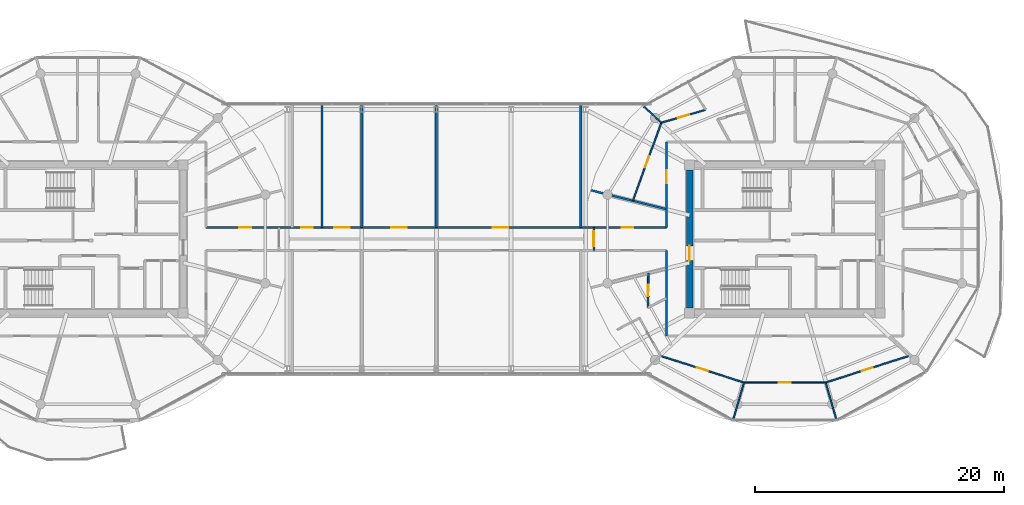
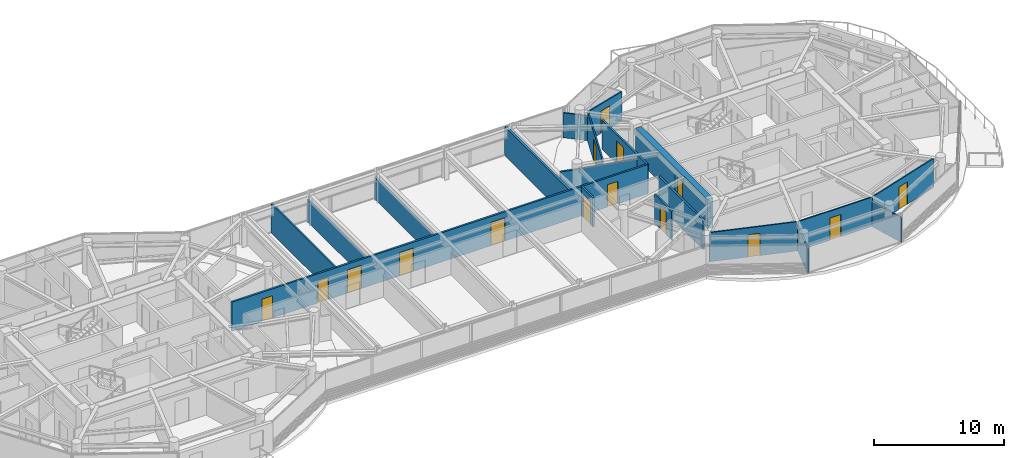
# One storey, part 16 of 24: 19 walls, 15 doors, 15 openings.
"""IFC4 building model written with IfcOpenShell, lengths in metres."""

from ifc_helpers import new_model, si_unit, direction, frame, frame_2d, origin, place, context, subcontext, project, spatial, rectangle, extrude, source, transform, mapped, material, layer, layer_set, type_object, type_shapes, element, fill, save


model = new_model("IFC4")

# Units and contexts
model_context = context("Model", 3, precision=1e-05, world=origin(), true_north=direction((0.0, 1.0)))
body_context = subcontext(model_context, "Body", "Model", "MODEL_VIEW")
ifc_project = project(units=[si_unit("LENGTHUNIT", "METRE"), si_unit("AREAUNIT", "SQUARE_METRE"), si_unit("VOLUMEUNIT", "CUBIC_METRE"), si_unit("PLANEANGLEUNIT", "RADIAN"), si_unit("MASSUNIT", "GRAM", prefix="KILO")], contexts=[model_context])

# Site, building, storey
site_placement = place(None, origin())
site = spatial("IfcSite", under=ifc_project, at=site_placement, CompositionType="ELEMENT")
building_placement = place(site_placement, origin())
building = spatial("IfcBuilding", under=site, at=building_placement, Name="Norrkilde Senior Care Towers", CompositionType="ELEMENT")
storey_placement = place(building_placement, frame((0.0, 0.0, 223.050048828125)))
storey = spatial("IfcBuildingStorey", under=building, at=storey_placement, Name="L69", CompositionType="ELEMENT", Elevation=223.050048828125)

# Wall, opening, door
ifc_material_1 = material(Name="Concrete C50/60", Category="concrete")
ifc_layer_1 = layer(ifc_material_1, 0.52001953125)
ifc_layer_set_1 = layer_set([ifc_layer_1], Name="Concrete C50/60")
wall_type_1 = type_object("IfcWallType", Name="Core Shear Wall Z4 520", PredefinedType="SHEAR", material=ifc_layer_set_1)
shared_shape_1 = source(origin(), body_context, "Body", "SweptSolid", [
    extrude(rectangle(XDim=11.10009765625, YDim=0.52001953125, at=frame_2d((5.550048828125, 0.0))), origin(), (0.0, 0.0, 1.0), 2.760009765625),
])
type_shapes(wall_type_1, [shared_shape_1])
wall_1_placement = place(storey_placement, frame((20.35009765625, -5.550048828125, 0.0), z_axis=(0.0, 0.0, 1.0), x_axis=(0.0, 1.0, 0.0)))
wall_1 = element("IfcWall", 1, at=wall_1_placement, inside=storey, type_object=wall_type_1, Name="L69 Core E West Shear Wall", PredefinedType="SHEAR", context=body_context, shape_type="MappedRepresentation", body=[
    mapped(shared_shape_1, transform((0.0, 0.0, 0.0), x_axis=(1.0, 0.0, 0.0), y_axis=(0.0, 1.0, 0.0), z_axis=(0.0, 0.0, 1.0), scale=1.0)),
])
opening_1_placement = place(wall_1_placement, frame((3.800048828125, 0.0, 0.0)))
opening_1 = element("IfcOpeningElement", 2, at=opening_1_placement, cuts=wall_1, Name="Opening D-04", PredefinedType="OPENING", context=body_context, shape_type="SweptSolid", body=[
    extrude(rectangle(XDim=1.199951171875, YDim=2.14990234375, at=frame_2d((0.60009765625, 1.074951171875))), frame((0.0, 0.27001953125, 0.0), z_axis=(0.0, -1.0, 0.0), x_axis=(1.0, 0.0, 0.0)), (0.0, 0.0, 1.0), 0.5400390625),
])
ifc_material_2 = material(Name="Galvanised Painted Steel", Category="steel")
door_type_1 = type_object("IfcDoorType", Name="Firefighting Lobby Fire Door 1200x2150", OperationType="NOTDEFINED", PredefinedType="DOOR", material=ifc_material_2)
shared_shape_2 = source(origin(), body_context, "Body", "SweptSolid", [
    extrude(rectangle(XDim=1.199951171875, YDim=2.14990234375, at=frame_2d((0.60009765625, 1.074951171875))), frame((0.0, 0.02490234375, 0.0), z_axis=(0.0, -1.0, 0.0), x_axis=(1.0, 0.0, 0.0)), (0.0, 0.0, 1.0), 0.050048828125),
])
type_shapes(door_type_1, [shared_shape_2])
door_1_placement = place(opening_1_placement, frame((1.199951171875, 0.0, 0.0), z_axis=(0.0, 0.0, 1.0), x_axis=(-1.0, 0.0, 0.0)))
door_1 = element("IfcDoor", 3, at=door_1_placement, inside=storey, type_object=door_type_1, Name="L69 Core E West Portal Door", OperationType="SINGLE_SWING_LEFT", OverallHeight=2.14990234375, OverallWidth=1.199951171875, PredefinedType="DOOR", context=body_context, shape_type="MappedRepresentation", body=[
    mapped(shared_shape_2, transform((0.0, 0.0, 0.0), x_axis=(1.0, 0.0, 0.0), y_axis=(0.0, 1.0, 0.0), z_axis=(0.0, 0.0, 1.0), scale=1.0)),
])
fill(opening_1, door_1)

# Walls
ifc_material_3 = material(Name="Gypsum Acoustic Board")
ifc_layer_2 = layer(ifc_material_3, 0.1650390625)
ifc_layer_set_2 = layer_set([ifc_layer_2], Name="Gypsum Acoustic Board")
wall_type_2 = type_object("IfcWallType", Name="Corridor Rated Partition 165", PredefinedType="PARTITIONING", material=ifc_layer_set_2)
shared_shape_3 = source(origin(), body_context, "Body", "SweptSolid", [
    extrude(rectangle(XDim=6.1572265625, YDim=0.1650390625, at=frame_2d((3.07861328125, 0.0))), origin(), (0.0, 0.0, 1.0), 2.344970703125),
])
wall_2_placement = place(storey_placement, frame((18.419921875, 2.407470703125, 0.0), z_axis=(0.0, 0.0, 1.0), x_axis=(-0.969840867184, 0.243738984038, 0.0)))
element("IfcWall", 4, at=wall_2_placement, inside=storey, type_object=wall_type_2, Name="WL-INT-L69-E-DEM-05-0", PredefinedType="PARTITIONING", context=body_context, shape_type="MappedRepresentation", body=[
    mapped(shared_shape_3, transform((0.0, 0.0, 0.0), x_axis=(1.0, 0.0, 0.0), y_axis=(0.0, 1.0, 0.0), z_axis=(0.0, 0.0, 1.0), scale=1.0)),
])
shared_shape_4 = source(origin(), body_context, "Body", "SweptSolid", [
    extrude(rectangle(XDim=6.880126953125, YDim=0.1650390625, at=frame_2d((3.43994140625, 0.0))), origin(), (0.0, 0.0, 1.0), 2.744873046875),
])
wall_3_placement = place(storey_placement, frame((18.5, -7.800048828125, 0.0), z_axis=(0.0, 0.0, 1.0), x_axis=(0.0, 1.0, 0.0)))
element("IfcWall", 5, at=wall_3_placement, inside=storey, type_object=wall_type_2, Name="WL-INT-L69-E-CRW-W-0", PredefinedType="PARTITIONING", context=body_context, shape_type="MappedRepresentation", body=[
    mapped(shared_shape_4, transform((0.0, 0.0, 0.0), x_axis=(1.0, 0.0, 0.0), y_axis=(0.0, 1.0, 0.0), z_axis=(0.0, 0.0, 1.0), scale=1.0)),
])

# Wall, opening, door
wall_4_placement = place(storey_placement, frame((18.5, 0.919921875, 0.0), z_axis=(0.0, 0.0, 1.0), x_axis=(0.0, 1.0, 0.0)))
wall_4 = element("IfcWall", 6, at=wall_4_placement, inside=storey, type_object=wall_type_2, Name="WL-INT-L69-E-CRW-W-1", PredefinedType="PARTITIONING", context=body_context, shape_type="MappedRepresentation", body=[
    mapped(shared_shape_4, transform((0.0, 0.0, 0.0), x_axis=(1.0, 0.0, 0.0), y_axis=(0.0, 1.0, 0.0), z_axis=(0.0, 0.0, 1.0), scale=1.0)),
])
opening_2_placement = place(wall_4_placement, frame((3.564208984375, 0.0, 0.0)))
opening_2 = element("IfcOpeningElement", 7, at=opening_2_placement, cuts=wall_4, Name="Opening D-06", PredefinedType="OPENING", context=body_context, shape_type="SweptSolid", body=[
    extrude(rectangle(XDim=1.050048828125, YDim=2.14990234375, at=frame_2d((0.52490234375, 1.074951171875))), frame((0.0, 0.092529296875, 0.0), z_axis=(0.0, -1.0, 0.0), x_axis=(1.0, 0.0, 0.0)), (0.0, 0.0, 1.0), 0.18505859375),
])
ifc_material_4 = material(Name="Nordic Ash Timber", Category="wood")
door_type_2 = type_object("IfcDoorType", Name="Apartment Entrance Fire Door 1050x2150", OperationType="NOTDEFINED", PredefinedType="DOOR", material=ifc_material_4)
shared_shape_5 = source(origin(), body_context, "Body", "SweptSolid", [
    extrude(rectangle(XDim=1.050048828125, YDim=2.14990234375, at=frame_2d((0.52490234375, 1.074951171875))), frame((0.0, 0.02490234375, 0.0), z_axis=(0.0, -1.0, 0.0), x_axis=(1.0, 0.0, 0.0)), (0.0, 0.0, 1.0), 0.050048828125),
])
type_shapes(door_type_2, [shared_shape_5])
door_2_placement = place(opening_2_placement, frame((1.050048828125, 0.0, 0.0), z_axis=(0.0, 0.0, 1.0), x_axis=(-1.0, 0.0, 0.0)))
door_2 = element("IfcDoor", 8, at=door_2_placement, inside=storey, type_object=door_type_2, Name="Apartment 69B Entrance Door", OperationType="SINGLE_SWING_RIGHT", OverallHeight=2.14990234375, OverallWidth=1.050048828125, PredefinedType="DOOR", context=body_context, shape_type="MappedRepresentation", body=[
    mapped(shared_shape_5, transform((0.0, 0.0, 0.0), x_axis=(1.0, 0.0, 0.0), y_axis=(0.0, 1.0, 0.0), z_axis=(0.0, 0.0, 1.0), scale=1.0)),
])
fill(opening_2, door_2)

ifc_layer_3 = layer(ifc_material_3, 0.139892578125)
ifc_layer_set_3 = layer_set([ifc_layer_3], Name="Gypsum Acoustic Board")
wall_type_3 = type_object("IfcWallType", Name="En-suite Wet Room Wall 140", PredefinedType="PARTITIONING", material=ifc_layer_set_3)
shared_shape_6 = source(origin(), body_context, "Body", "SweptSolid", [
    extrude(rectangle(XDim=2.7587890625, YDim=0.139892578125, at=frame_2d((1.37939453125, 0.0))), origin(), (0.0, 0.0, 1.0), 2.744873046875),
])
wall_5_placement = place(storey_placement, frame((17.00537109375, -5.5126953125, 0.0), z_axis=(0.0, 0.0, 1.0), x_axis=(0.01194710728, 0.999928630767, 0.0)))
wall_5 = element("IfcWall", 9, at=wall_5_placement, inside=storey, type_object=wall_type_3, Name="WL-INT-L69-E-UBTF-06", PredefinedType="PARTITIONING", context=body_context, shape_type="MappedRepresentation", body=[
    mapped(shared_shape_6, transform((0.0, 0.0, 0.0), x_axis=(1.0, 0.0, 0.0), y_axis=(0.0, 1.0, 0.0), z_axis=(0.0, 0.0, 1.0), scale=1.0)),
])
opening_3_placement = place(wall_5_placement, frame((0.91943359375, 0.0, 0.0)))
opening_3 = element("IfcOpeningElement", 10, at=opening_3_placement, cuts=wall_5, Name="Opening D-08", PredefinedType="OPENING", context=body_context, shape_type="SweptSolid", body=[
    extrude(rectangle(XDim=0.919921875, YDim=2.10009765625, at=frame_2d((0.4599609375, 1.050048828125))), frame((0.0, 0.079833984375, 0.0), z_axis=(0.0, -1.0, 0.0), x_axis=(1.0, 0.0, 0.0)), (0.0, 0.0, 1.0), 0.159912109375),
])
door_type_3 = type_object("IfcDoorType", Name="Accessible Wet Room Door 920x2100", OperationType="NOTDEFINED", PredefinedType="DOOR", material=ifc_material_4)
shared_shape_7 = source(origin(), body_context, "Body", "SweptSolid", [
    extrude(rectangle(XDim=0.919921875, YDim=2.10009765625, at=frame_2d((0.4599609375, 1.050048828125))), frame((0.0, 0.02490234375, 0.0), z_axis=(0.0, -1.0, 0.0), x_axis=(1.0, 0.0, 0.0)), (0.0, 0.0, 1.0), 0.050048828125),
])
type_shapes(door_type_3, [shared_shape_7])
door_3_placement = place(opening_3_placement, origin())
door_3 = element("IfcDoor", 11, at=door_3_placement, inside=storey, type_object=door_type_3, Name="Apartment 69C Bathroom Door", OperationType="SINGLE_SWING_RIGHT", OverallHeight=2.10009765625, OverallWidth=0.919921875, PredefinedType="DOOR", context=body_context, shape_type="MappedRepresentation", body=[
    mapped(shared_shape_7, transform((0.0, 0.0, 0.0), x_axis=(1.0, 0.0, 0.0), y_axis=(0.0, 1.0, 0.0), z_axis=(0.0, 0.0, 1.0), scale=1.0)),
])
fill(opening_3, door_3)

shared_shape_8 = source(origin(), body_context, "Body", "SweptSolid", [
    extrude(rectangle(XDim=1.83984375, YDim=0.1650390625, at=frame_2d((0.919921875, 0.0))), origin(), (0.0, 0.0, 1.0), 2.744873046875),
])
wall_6_placement = place(storey_placement, frame((12.64990234375, -0.919921875, 0.0), z_axis=(0.0, 0.0, 1.0), x_axis=(0.0, 1.0, 0.0)))
wall_6 = element("IfcWall", 12, at=wall_6_placement, inside=storey, type_object=wall_type_2, Name="WL-INT-L69-BR-GE", PredefinedType="PARTITIONING", context=body_context, shape_type="MappedRepresentation", body=[
    mapped(shared_shape_8, transform((0.0, 0.0, 0.0), x_axis=(1.0, 0.0, 0.0), y_axis=(0.0, 1.0, 0.0), z_axis=(0.0, 0.0, 1.0), scale=1.0)),
])
opening_4_placement = place(wall_6_placement, frame((0.320068359375, 0.0, 0.0)))
opening_4 = element("IfcOpeningElement", 13, at=opening_4_placement, cuts=wall_6, Name="Opening D-04", PredefinedType="OPENING", context=body_context, shape_type="SweptSolid", body=[
    extrude(rectangle(XDim=1.199951171875, YDim=2.14990234375, at=frame_2d((0.60009765625, 1.074951171875))), frame((0.0, 0.092529296875, 0.0), z_axis=(0.0, -1.0, 0.0), x_axis=(1.0, 0.0, 0.0)), (0.0, 0.0, 1.0), 0.18505859375),
])
door_4_placement = place(opening_4_placement, origin())
door_4 = element("IfcDoor", 14, at=door_4_placement, inside=storey, type_object=door_type_1, Name="L69 Sky-Gate Bridge GE Fire Door", OperationType="SINGLE_SWING_RIGHT", OverallHeight=2.14990234375, OverallWidth=1.199951171875, PredefinedType="DOOR", context=body_context, shape_type="MappedRepresentation", body=[
    mapped(shared_shape_2, transform((0.0, 0.0, 0.0), x_axis=(1.0, 0.0, 0.0), y_axis=(0.0, 1.0, 0.0), z_axis=(0.0, 0.0, 1.0), scale=1.0)),
])
fill(opening_4, door_4)

# Wall, openings, doors
shared_shape_9 = source(origin(), body_context, "Body", "SweptSolid", [
    extrude(rectangle(XDim=37.0, YDim=0.1650390625, at=frame_2d((18.5, 0.0))), origin(), (0.0, 0.0, 1.0), 2.744873046875),
])
type_shapes(wall_type_2, [shared_shape_3, shared_shape_4, shared_shape_8, shared_shape_9])
wall_7_placement = place(storey_placement, frame((-18.5, 0.919921875, 0.0), z_axis=(0.0, 0.0, 1.0), x_axis=(1.0, 0.0, 0.0)))
wall_7 = element("IfcWall", 15, at=wall_7_placement, inside=storey, type_object=wall_type_2, Name="WL-INT-L69-BR-CN", PredefinedType="PARTITIONING", context=body_context, shape_type="MappedRepresentation", body=[
    mapped(shared_shape_9, transform((0.0, 0.0, 0.0), x_axis=(1.0, 0.0, 0.0), y_axis=(0.0, 1.0, 0.0), z_axis=(0.0, 0.0, 1.0), scale=1.0)),
])
opening_5_placement = place(wall_7_placement, frame((2.66162109375, 0.0, 0.0)))
opening_5 = element("IfcOpeningElement", 16, at=opening_5_placement, cuts=wall_7, Name="Opening D-07", PredefinedType="OPENING", context=body_context, shape_type="SweptSolid", body=[
    extrude(rectangle(XDim=0.949951171875, YDim=2.10009765625, at=frame_2d((0.47509765625, 1.050048828125))), frame((0.0, 0.092529296875, 0.0), z_axis=(0.0, -1.0, 0.0), x_axis=(1.0, 0.0, 0.0)), (0.0, 0.0, 1.0), 0.18505859375),
])
opening_6_placement = place(wall_7_placement, frame((33.38818359375, 0.0, 0.0)))
opening_6 = element("IfcOpeningElement", 17, at=opening_6_placement, cuts=wall_7, Name="Opening D-07", PredefinedType="OPENING", context=body_context, shape_type="SweptSolid", body=[
    extrude(rectangle(XDim=0.949951171875, YDim=2.10009765625, at=frame_2d((0.47509765625, 1.050048828125))), frame((0.0, 0.092529296875, 0.0), z_axis=(0.0, -1.0, 0.0), x_axis=(1.0, 0.0, 0.0)), (0.0, 0.0, 1.0), 0.18505859375),
])
opening_7_placement = place(wall_7_placement, frame((7.639892578125, 0.0, 0.0)))
opening_7 = element("IfcOpeningElement", 18, at=opening_7_placement, cuts=wall_7, Name="Opening D-08", PredefinedType="OPENING", context=body_context, shape_type="SweptSolid", body=[
    extrude(rectangle(XDim=0.919921875, YDim=2.10009765625, at=frame_2d((0.4599609375, 1.050048828125))), frame((0.0, 0.092529296875, 0.0), z_axis=(0.0, -1.0, 0.0), x_axis=(1.0, 0.0, 0.0)), (0.0, 0.0, 1.0), 0.18505859375),
])
opening_8_placement = place(wall_7_placement, frame((10.27490234375, 0.0, 0.0)))
opening_8 = element("IfcOpeningElement", 19, at=opening_8_placement, cuts=wall_7, Name="Opening D-05", PredefinedType="OPENING", context=body_context, shape_type="SweptSolid", body=[
    extrude(rectangle(XDim=1.25, YDim=2.199951171875, at=frame_2d((0.625, 1.10009765625))), frame((0.0, 0.092529296875, 0.0), z_axis=(0.0, -1.0, 0.0), x_axis=(1.0, 0.0, 0.0)), (0.0, 0.0, 1.0), 0.18505859375),
])
opening_9_placement = place(wall_7_placement, frame((14.875, 0.0, 0.0)))
opening_9 = element("IfcOpeningElement", 20, at=opening_9_placement, cuts=wall_7, Name="Opening D-05", PredefinedType="OPENING", context=body_context, shape_type="SweptSolid", body=[
    extrude(rectangle(XDim=1.25, YDim=2.199951171875, at=frame_2d((0.625, 1.10009765625))), frame((0.0, 0.092529296875, 0.0), z_axis=(0.0, -1.0, 0.0), x_axis=(1.0, 0.0, 0.0)), (0.0, 0.0, 1.0), 0.18505859375),
])
opening_10_placement = place(wall_7_placement, frame((23.030029296875, 0.0, 0.0)))
opening_10 = element("IfcOpeningElement", 21, at=opening_10_placement, cuts=wall_7, Name="Opening D-05", PredefinedType="OPENING", context=body_context, shape_type="SweptSolid", body=[
    extrude(rectangle(XDim=1.25, YDim=2.199951171875, at=frame_2d((0.625, 1.10009765625))), frame((0.0, 0.092529296875, 0.0), z_axis=(0.0, -1.0, 0.0), x_axis=(1.0, 0.0, 0.0)), (0.0, 0.0, 1.0), 0.18505859375),
])
door_type_4 = type_object("IfcDoorType", Name="Care Bedroom Bariatric Door 1250x2200", OperationType="NOTDEFINED", PredefinedType="DOOR", material=ifc_material_4)
shared_shape_10 = source(origin(), body_context, "Body", "SweptSolid", [
    extrude(rectangle(XDim=1.25, YDim=2.199951171875, at=frame_2d((0.625, 1.10009765625))), frame((0.0, 0.02490234375, 0.0), z_axis=(0.0, -1.0, 0.0), x_axis=(1.0, 0.0, 0.0)), (0.0, 0.0, 1.0), 0.050048828125),
])
type_shapes(door_type_4, [shared_shape_10])
door_5_placement = place(opening_8_placement, frame((1.25, 0.0, 0.0), z_axis=(0.0, 0.0, 1.0), x_axis=(-1.0, 0.0, 0.0)))
door_5 = element("IfcDoor", 22, at=door_5_placement, inside=storey, type_object=door_type_4, Name="L69 Bridge North Clinic 1 Door", OperationType="SINGLE_SWING_RIGHT", OverallHeight=2.199951171875, OverallWidth=1.25, PredefinedType="DOOR", context=body_context, shape_type="MappedRepresentation", body=[
    mapped(shared_shape_10, transform((0.0, 0.0, 0.0), x_axis=(1.0, 0.0, 0.0), y_axis=(0.0, 1.0, 0.0), z_axis=(0.0, 0.0, 1.0), scale=1.0)),
])
fill(opening_8, door_5)
door_6_placement = place(opening_9_placement, frame((1.25, 0.0, 0.0), z_axis=(0.0, 0.0, 1.0), x_axis=(-1.0, 0.0, 0.0)))
door_6 = element("IfcDoor", 23, at=door_6_placement, inside=storey, type_object=door_type_4, Name="L69 Bridge North Room 2 Door", OperationType="SINGLE_SWING_LEFT", OverallHeight=2.199951171875, OverallWidth=1.25, PredefinedType="DOOR", context=body_context, shape_type="MappedRepresentation", body=[
    mapped(shared_shape_10, transform((0.0, 0.0, 0.0), x_axis=(1.0, 0.0, 0.0), y_axis=(0.0, 1.0, 0.0), z_axis=(0.0, 0.0, 1.0), scale=1.0)),
])
fill(opening_9, door_6)
door_7_placement = place(opening_10_placement, frame((1.25, 0.0, 0.0), z_axis=(0.0, 0.0, 1.0), x_axis=(-1.0, 0.0, 0.0)))
door_7 = element("IfcDoor", 24, at=door_7_placement, inside=storey, type_object=door_type_4, Name="L69 Bridge North Room 3 Door", OperationType="SINGLE_SWING_RIGHT", OverallHeight=2.199951171875, OverallWidth=1.25, PredefinedType="DOOR", context=body_context, shape_type="MappedRepresentation", body=[
    mapped(shared_shape_10, transform((0.0, 0.0, 0.0), x_axis=(1.0, 0.0, 0.0), y_axis=(0.0, 1.0, 0.0), z_axis=(0.0, 0.0, 1.0), scale=1.0)),
])
fill(opening_10, door_7)
door_8_placement = place(opening_7_placement, frame((0.919921875, 0.0, 0.0), z_axis=(0.0, 0.0, 1.0), x_axis=(-1.0, 0.0, 0.0)))
door_8 = element("IfcDoor", 25, at=door_8_placement, inside=storey, type_object=door_type_3, Name="L69 Bridge Accessible WC Door", OperationType="SINGLE_SWING_LEFT", OverallHeight=2.10009765625, OverallWidth=0.919921875, PredefinedType="DOOR", context=body_context, shape_type="MappedRepresentation", body=[
    mapped(shared_shape_7, transform((0.0, 0.0, 0.0), x_axis=(1.0, 0.0, 0.0), y_axis=(0.0, 1.0, 0.0), z_axis=(0.0, 0.0, 1.0), scale=1.0)),
])
fill(opening_7, door_8)
door_type_5 = type_object("IfcDoorType", Name="Internal Suite Bedroom Door 950x2100", OperationType="NOTDEFINED", PredefinedType="DOOR", material=ifc_material_4)
shared_shape_11 = source(origin(), body_context, "Body", "SweptSolid", [
    extrude(rectangle(XDim=0.949951171875, YDim=2.10009765625, at=frame_2d((0.47509765625, 1.050048828125))), frame((0.0, 0.02490234375, 0.0), z_axis=(0.0, -1.0, 0.0), x_axis=(1.0, 0.0, 0.0)), (0.0, 0.0, 1.0), 0.050048828125),
])
type_shapes(door_type_5, [shared_shape_11])
door_9_placement = place(opening_5_placement, frame((0.949951171875, 0.0, 0.0), z_axis=(0.0, 0.0, 1.0), x_axis=(-1.0, 0.0, 0.0)))
door_9 = element("IfcDoor", 26, at=door_9_placement, inside=storey, type_object=door_type_5, Name="L69 Sun Reading Lounge 6 Door", OperationType="SINGLE_SWING_LEFT", OverallHeight=2.10009765625, OverallWidth=0.949951171875, PredefinedType="DOOR", context=body_context, shape_type="MappedRepresentation", body=[
    mapped(shared_shape_11, transform((0.0, 0.0, 0.0), x_axis=(1.0, 0.0, 0.0), y_axis=(0.0, 1.0, 0.0), z_axis=(0.0, 0.0, 1.0), scale=1.0)),
])
fill(opening_5, door_9)
door_10_placement = place(opening_6_placement, frame((0.949951171875, 0.0, 0.0), z_axis=(0.0, 0.0, 1.0), x_axis=(-1.0, 0.0, 0.0)))
door_10 = element("IfcDoor", 27, at=door_10_placement, inside=storey, type_object=door_type_5, Name="L69 Sun Reading Lounge 2 Door", OperationType="SINGLE_SWING_LEFT", OverallHeight=2.10009765625, OverallWidth=0.949951171875, PredefinedType="DOOR", context=body_context, shape_type="MappedRepresentation", body=[
    mapped(shared_shape_11, transform((0.0, 0.0, 0.0), x_axis=(1.0, 0.0, 0.0), y_axis=(0.0, 1.0, 0.0), z_axis=(0.0, 0.0, 1.0), scale=1.0)),
])
fill(opening_6, door_10)

# Walls
ifc_layer_4 = layer(ifc_material_3, 0.18994140625)
ifc_layer_set_4 = layer_set([ifc_layer_4], Name="Gypsum Acoustic Board")
wall_type_4 = type_object("IfcWallType", Name="Unit Demising Acoustic Wall 190", PredefinedType="PARTITIONING", material=ifc_layer_set_4)
shared_shape_12 = source(origin(), body_context, "Body", "SweptSolid", [
    extrude(rectangle(XDim=9.880126953125, YDim=0.18994140625, at=frame_2d((4.93994140625, 0.0))), origin(), (0.0, 0.0, 1.0), 2.744873046875),
])
wall_8_placement = place(storey_placement, frame((11.60009765625, 0.919921875, 0.0), z_axis=(0.0, 0.0, 1.0), x_axis=(0.0, 1.0, 0.0)))
element("IfcWall", 28, at=wall_8_placement, inside=storey, type_object=wall_type_4, Name="WL-INT-L69-BR-EN+12", PredefinedType="PARTITIONING", context=body_context, shape_type="MappedRepresentation", body=[
    mapped(shared_shape_12, transform((0.0, 0.0, 0.0), x_axis=(1.0, 0.0, 0.0), y_axis=(0.0, 1.0, 0.0), z_axis=(0.0, 0.0, 1.0), scale=1.0)),
])
shared_shape_13 = source(origin(), body_context, "Body", "SweptSolid", [
    extrude(rectangle(XDim=9.880126953125, YDim=0.18994140625, at=frame_2d((4.93994140625, 0.0))), origin(), (0.0, 0.0, 1.0), 2.044921875),
])
type_shapes(wall_type_4, [shared_shape_12, shared_shape_13])
for number, where, z_axis, x_axis, name in (
    (29, (-6.0, 0.919921875, 0.0), (0.0, 0.0, 1.0), (0.0, 1.0, 0.0), "WL-INT-L69-BR-VN1"),
    (30, (0.0, 0.919921875, 0.0), (0.0, 0.0, 1.0), (0.0, 1.0, 0.0), "WL-INT-L69-BR-VN2"),
):
    element("IfcWall", number, at=place(storey_placement, frame(where, z_axis=z_axis, x_axis=x_axis)), inside=storey, type_object=wall_type_4, Name=name, PredefinedType="PARTITIONING", context=body_context, shape_type="MappedRepresentation", body=[
        mapped(shared_shape_13, transform((0.0, 0.0, 0.0), x_axis=(1.0, 0.0, 0.0), y_axis=(0.0, 1.0, 0.0), z_axis=(0.0, 0.0, 1.0), scale=1.0)),
    ])
shared_shape_14 = source(origin(), body_context, "Body", "SweptSolid", [
    extrude(rectangle(XDim=9.880126953125, YDim=0.139892578125, at=frame_2d((4.93994140625, 0.0))), origin(), (0.0, 0.0, 1.0), 2.744873046875),
])
type_shapes(wall_type_3, [shared_shape_6, shared_shape_14])
wall_9_placement = place(storey_placement, frame((-9.199951171875, 0.919921875, 0.0), z_axis=(0.0, 0.0, 1.0), x_axis=(0.0, 1.0, 0.0)))
element("IfcWall", 31, at=wall_9_placement, inside=storey, type_object=wall_type_3, Name="WL-INT-L69-BR-NWCV", PredefinedType="PARTITIONING", context=body_context, shape_type="MappedRepresentation", body=[
    mapped(shared_shape_14, transform((0.0, 0.0, 0.0), x_axis=(1.0, 0.0, 0.0), y_axis=(0.0, 1.0, 0.0), z_axis=(0.0, 0.0, 1.0), scale=1.0)),
])
ifc_layer_5 = layer(ifc_material_3, 0.114990234375)
ifc_layer_set_5 = layer_set([ifc_layer_5], Name="Gypsum Acoustic Board")
wall_type_5 = type_object("IfcWallType", Name="Internal Room Partition 115", PredefinedType="PARTITIONING", material=ifc_layer_set_5)
shared_shape_15 = source(origin(), body_context, "Body", "SweptSolid", [
    extrude(rectangle(XDim=1.977294921875, YDim=0.114990234375, at=frame_2d((0.98876953125, 0.0))), origin(), (0.0, 0.0, 1.0), 2.344970703125),
])
wall_10_placement = place(storey_placement, frame((18.082763671875, 9.351806640625, 0.0), z_axis=(0.0, 0.0, 1.0), x_axis=(-0.742064998629, 0.670327933037, 0.0)))
element("IfcWall", 32, at=wall_10_placement, inside=storey, type_object=wall_type_5, Name="WL-INT-L69-E-UBR-03-1", PredefinedType="PARTITIONING", context=body_context, shape_type="MappedRepresentation", body=[
    mapped(shared_shape_15, transform((0.0, 0.0, 0.0), x_axis=(1.0, 0.0, 0.0), y_axis=(0.0, 1.0, 0.0), z_axis=(0.0, 0.0, 1.0), scale=1.0)),
])
shared_shape_16 = source(origin(), body_context, "Body", "SweptSolid", [
    extrude(rectangle(XDim=3.17333984375, YDim=0.114990234375, at=frame_2d((1.586669921875, 0.0))), origin(), (0.0, 0.0, 1.0), 2.344970703125),
])
wall_11_placement = place(storey_placement, frame((24.72119140625, -11.538818359375, 0.0), z_axis=(0.0, 0.0, 1.0), x_axis=(-0.279878875918, -0.960035319566, 0.0)))
element("IfcWall", 33, at=wall_11_placement, inside=storey, type_object=wall_type_5, Name="WL-INT-L69-E-UBR-06-2", PredefinedType="PARTITIONING", context=body_context, shape_type="MappedRepresentation", body=[
    mapped(shared_shape_16, transform((0.0, 0.0, 0.0), x_axis=(1.0, 0.0, 0.0), y_axis=(0.0, 1.0, 0.0), z_axis=(0.0, 0.0, 1.0), scale=1.0)),
])
shared_shape_17 = source(origin(), body_context, "Body", "SweptSolid", [
    extrude(rectangle(XDim=3.170654296875, YDim=0.114990234375, at=frame_2d((1.58544921875, 0.0))), origin(), (0.0, 0.0, 1.0), 2.344970703125),
])
wall_12_placement = place(storey_placement, frame((31.279541015625, -11.54150390625, 0.0), z_axis=(0.0, 0.0, 1.0), x_axis=(0.279893554029, -0.960031040338, 0.0)))
element("IfcWall", 34, at=wall_12_placement, inside=storey, type_object=wall_type_5, Name="WL-INT-L69-E-UBR-06-3", PredefinedType="PARTITIONING", context=body_context, shape_type="MappedRepresentation", body=[
    mapped(shared_shape_17, transform((0.0, 0.0, 0.0), x_axis=(1.0, 0.0, 0.0), y_axis=(0.0, 1.0, 0.0), z_axis=(0.0, 0.0, 1.0), scale=1.0)),
])

# Wall, opening, door
shared_shape_18 = source(origin(), body_context, "Body", "SweptSolid", [
    extrude(rectangle(XDim=6.68994140625, YDim=0.114990234375, at=frame_2d((3.344970703125, 0.0))), origin(), (0.0, 0.0, 1.0), 2.744873046875),
])
wall_13_placement = place(storey_placement, frame((18.082763671875, 9.351806640625, 0.0), z_axis=(0.0, 0.0, 1.0), x_axis=(-0.343693784919, -0.939081776102, 0.0)))
wall_13 = element("IfcWall", 35, at=wall_13_placement, inside=storey, type_object=wall_type_5, Name="WL-INT-L69-E-UBC-03-1", PredefinedType="PARTITIONING", context=body_context, shape_type="MappedRepresentation", body=[
    mapped(shared_shape_18, transform((0.0, 0.0, 0.0), x_axis=(1.0, 0.0, 0.0), y_axis=(0.0, 1.0, 0.0), z_axis=(0.0, 0.0, 1.0), scale=1.0)),
])
opening_11_placement = place(wall_13_placement, frame((2.8701171875, 0.0, 0.0)))
opening_11 = element("IfcOpeningElement", 36, at=opening_11_placement, cuts=wall_13, Name="Opening D-07", PredefinedType="OPENING", context=body_context, shape_type="SweptSolid", body=[
    extrude(rectangle(XDim=0.949951171875, YDim=2.10009765625, at=frame_2d((0.47509765625, 1.050048828125))), frame((0.0, 0.0673828125, 0.0), z_axis=(0.0, -1.0, 0.0), x_axis=(1.0, 0.0, 0.0)), (0.0, 0.0, 1.0), 0.135009765625),
])
door_11_placement = place(opening_11_placement, origin())
door_11 = element("IfcDoor", 37, at=door_11_placement, inside=storey, type_object=door_type_5, Name="Apartment 69B Bedroom 1 Door", OperationType="SINGLE_SWING_LEFT", OverallHeight=2.10009765625, OverallWidth=0.949951171875, PredefinedType="DOOR", context=body_context, shape_type="MappedRepresentation", body=[
    mapped(shared_shape_11, transform((0.0, 0.0, 0.0), x_axis=(1.0, 0.0, 0.0), y_axis=(0.0, 1.0, 0.0), z_axis=(0.0, 0.0, 1.0), scale=1.0)),
])
fill(opening_11, door_11)

shared_shape_19 = source(origin(), body_context, "Body", "SweptSolid", [
    extrude(rectangle(XDim=3.70166015625, YDim=0.114990234375, at=frame_2d((1.850830078125, 0.0))), origin(), (0.0, 0.0, 1.0), 2.744873046875),
])
wall_14_placement = place(storey_placement, frame((21.64453125, 10.380126953125, 0.0), z_axis=(0.0, 0.0, 1.0), x_axis=(-0.960044309887, -0.279848035645, 0.0)))
wall_14 = element("IfcWall", 38, at=wall_14_placement, inside=storey, type_object=wall_type_5, Name="WL-INT-L69-E-UKTF-03", PredefinedType="PARTITIONING", context=body_context, shape_type="MappedRepresentation", body=[
    mapped(shared_shape_19, transform((0.0, 0.0, 0.0), x_axis=(1.0, 0.0, 0.0), y_axis=(0.0, 1.0, 0.0), z_axis=(0.0, 0.0, 1.0), scale=1.0)),
])
opening_12_placement = place(wall_14_placement, frame((1.3759765625, 0.0, 0.0)))
opening_12 = element("IfcOpeningElement", 39, at=opening_12_placement, cuts=wall_14, Name="Opening D-07", PredefinedType="OPENING", context=body_context, shape_type="SweptSolid", body=[
    extrude(rectangle(XDim=0.949951171875, YDim=2.10009765625, at=frame_2d((0.47509765625, 1.050048828125))), frame((0.0, 0.0673828125, 0.0), z_axis=(0.0, -1.0, 0.0), x_axis=(1.0, 0.0, 0.0)), (0.0, 0.0, 1.0), 0.135009765625),
])
door_12_placement = place(opening_12_placement, frame((0.949951171875, 0.0, 0.0), z_axis=(0.0, 0.0, 1.0), x_axis=(-1.0, 0.0, 0.0)))
door_12 = element("IfcDoor", 40, at=door_12_placement, inside=storey, type_object=door_type_5, Name="Apartment 69B Kitchen Door", OperationType="SINGLE_SWING_RIGHT", OverallHeight=2.10009765625, OverallWidth=0.949951171875, PredefinedType="DOOR", context=body_context, shape_type="MappedRepresentation", body=[
    mapped(shared_shape_11, transform((0.0, 0.0, 0.0), x_axis=(1.0, 0.0, 0.0), y_axis=(0.0, 1.0, 0.0), z_axis=(0.0, 0.0, 1.0), scale=1.0)),
])
fill(opening_12, door_12)

shared_shape_20 = source(origin(), body_context, "Body", "SweptSolid", [
    extrude(rectangle(XDim=7.024169921875, YDim=0.114990234375, at=frame_2d((3.51220703125, 0.0))), origin(), (0.0, 0.0, 1.0), 2.744873046875),
])
wall_15_placement = place(storey_placement, frame((18.0302734375, -9.4013671875, 0.0), z_axis=(0.0, 0.0, 1.0), x_axis=(0.952454006655, -0.304682400552, 0.0)))
wall_15 = element("IfcWall", 41, at=wall_15_placement, inside=storey, type_object=wall_type_5, Name="WL-INT-L69-E-UBC-06-1", PredefinedType="PARTITIONING", context=body_context, shape_type="MappedRepresentation", body=[
    mapped(shared_shape_20, transform((0.0, 0.0, 0.0), x_axis=(1.0, 0.0, 0.0), y_axis=(0.0, 1.0, 0.0), z_axis=(0.0, 0.0, 1.0), scale=1.0)),
])
opening_13_placement = place(wall_15_placement, frame((3.037109375, 0.0, 0.0)))
opening_13 = element("IfcOpeningElement", 42, at=opening_13_placement, cuts=wall_15, Name="Opening D-07", PredefinedType="OPENING", context=body_context, shape_type="SweptSolid", body=[
    extrude(rectangle(XDim=0.949951171875, YDim=2.10009765625, at=frame_2d((0.47509765625, 1.050048828125))), frame((0.0, 0.0673828125, 0.0), z_axis=(0.0, -1.0, 0.0), x_axis=(1.0, 0.0, 0.0)), (0.0, 0.0, 1.0), 0.135009765625),
])
door_13_placement = place(opening_13_placement, origin())
door_13 = element("IfcDoor", 43, at=door_13_placement, inside=storey, type_object=door_type_5, Name="Apartment 69C Bedroom 1 Door", OperationType="SINGLE_SWING_RIGHT", OverallHeight=2.10009765625, OverallWidth=0.949951171875, PredefinedType="DOOR", context=body_context, shape_type="MappedRepresentation", body=[
    mapped(shared_shape_11, transform((0.0, 0.0, 0.0), x_axis=(1.0, 0.0, 0.0), y_axis=(0.0, 1.0, 0.0), z_axis=(0.0, 0.0, 1.0), scale=1.0)),
])
fill(opening_13, door_13)

wall_16_placement = place(storey_placement, frame((31.279541015625, -11.54150390625, 0.0), z_axis=(0.0, 0.0, 1.0), x_axis=(0.952454006655, 0.304682400552, 0.0)))
wall_16 = element("IfcWall", 44, at=wall_16_placement, inside=storey, type_object=wall_type_5, Name="WL-INT-L69-E-UBC-06-3", PredefinedType="PARTITIONING", context=body_context, shape_type="MappedRepresentation", body=[
    mapped(shared_shape_20, transform((0.0, 0.0, 0.0), x_axis=(1.0, 0.0, 0.0), y_axis=(0.0, 1.0, 0.0), z_axis=(0.0, 0.0, 1.0), scale=1.0)),
])
opening_14_placement = place(wall_16_placement, frame((3.037109375, 0.0, 0.0)))
opening_14 = element("IfcOpeningElement", 45, at=opening_14_placement, cuts=wall_16, Name="Opening D-07", PredefinedType="OPENING", context=body_context, shape_type="SweptSolid", body=[
    extrude(rectangle(XDim=0.949951171875, YDim=2.10009765625, at=frame_2d((0.47509765625, 1.050048828125))), frame((0.0, 0.0673828125, 0.0), z_axis=(0.0, -1.0, 0.0), x_axis=(1.0, 0.0, 0.0)), (0.0, 0.0, 1.0), 0.135009765625),
])
door_14_placement = place(opening_14_placement, origin())
door_14 = element("IfcDoor", 46, at=door_14_placement, inside=storey, type_object=door_type_5, Name="Apartment 69C Bedroom 3 Door", OperationType="SINGLE_SWING_RIGHT", OverallHeight=2.10009765625, OverallWidth=0.949951171875, PredefinedType="DOOR", context=body_context, shape_type="MappedRepresentation", body=[
    mapped(shared_shape_11, transform((0.0, 0.0, 0.0), x_axis=(1.0, 0.0, 0.0), y_axis=(0.0, 1.0, 0.0), z_axis=(0.0, 0.0, 1.0), scale=1.0)),
])
fill(opening_14, door_14)

shared_shape_21 = source(origin(), body_context, "Body", "SweptSolid", [
    extrude(rectangle(XDim=6.5576171875, YDim=0.114990234375, at=frame_2d((3.27880859375, 0.0))), origin(), (0.0, 0.0, 1.0), 2.744873046875),
])
type_shapes(wall_type_5, [shared_shape_15, shared_shape_16, shared_shape_17, shared_shape_18, shared_shape_19, shared_shape_20, shared_shape_21])
wall_17_placement = place(storey_placement, frame((24.72119140625, -11.538818359375, 0.0), z_axis=(0.0, 0.0, 1.0), x_axis=(1.0, 0.0, 0.0)))
wall_17 = element("IfcWall", 47, at=wall_17_placement, inside=storey, type_object=wall_type_5, Name="WL-INT-L69-E-UBC-06-2", PredefinedType="PARTITIONING", context=body_context, shape_type="MappedRepresentation", body=[
    mapped(shared_shape_21, transform((0.0, 0.0, 0.0), x_axis=(1.0, 0.0, 0.0), y_axis=(0.0, 1.0, 0.0), z_axis=(0.0, 0.0, 1.0), scale=1.0)),
])
opening_15_placement = place(wall_17_placement, frame((2.8037109375, 0.0, 0.0)))
opening_15 = element("IfcOpeningElement", 48, at=opening_15_placement, cuts=wall_17, Name="Opening D-07", PredefinedType="OPENING", context=body_context, shape_type="SweptSolid", body=[
    extrude(rectangle(XDim=0.949951171875, YDim=2.10009765625, at=frame_2d((0.47509765625, 1.050048828125))), frame((0.0, 0.0673828125, 0.0), z_axis=(0.0, -1.0, 0.0), x_axis=(1.0, 0.0, 0.0)), (0.0, 0.0, 1.0), 0.135009765625),
])
door_15_placement = place(opening_15_placement, frame((0.949951171875, 0.0, 0.0), z_axis=(0.0, 0.0, 1.0), x_axis=(-1.0, 0.0, 0.0)))
door_15 = element("IfcDoor", 49, at=door_15_placement, inside=storey, type_object=door_type_5, Name="Apartment 69C Bedroom 2 Door", OperationType="SINGLE_SWING_LEFT", OverallHeight=2.10009765625, OverallWidth=0.949951171875, PredefinedType="DOOR", context=body_context, shape_type="MappedRepresentation", body=[
    mapped(shared_shape_11, transform((0.0, 0.0, 0.0), x_axis=(1.0, 0.0, 0.0), y_axis=(0.0, 1.0, 0.0), z_axis=(0.0, 0.0, 1.0), scale=1.0)),
])
fill(opening_15, door_15)

save(model, "model.ifc")
